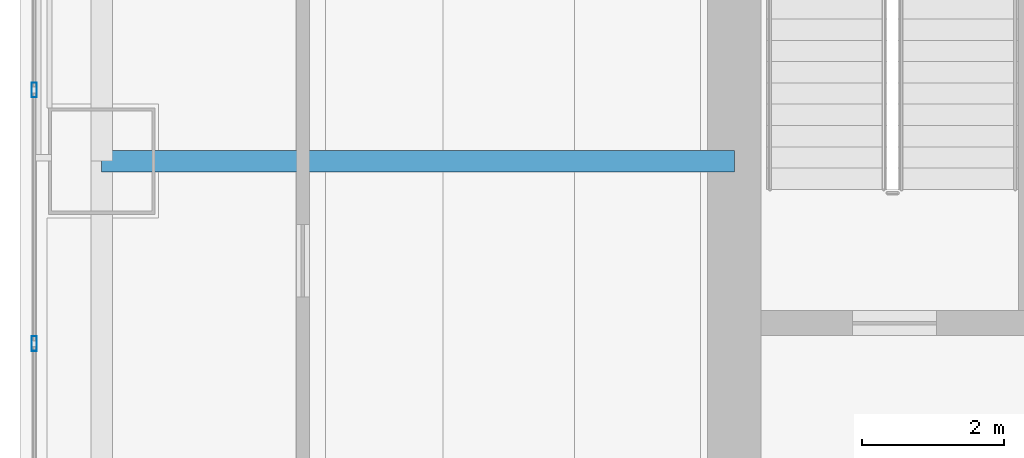
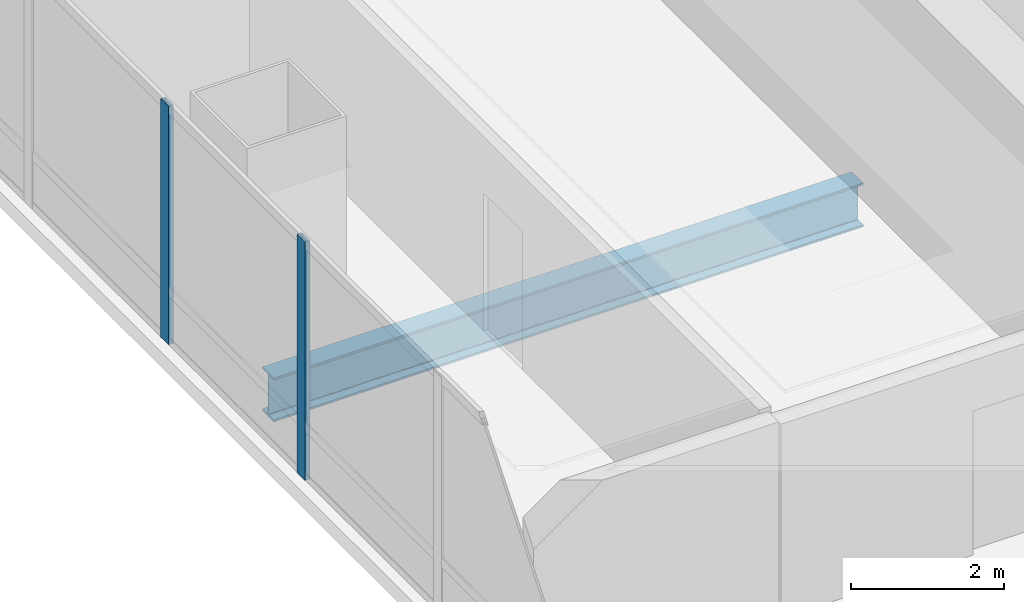
# One storey, part 8 of 34: 2 members, 1 beam, 1 element without a shape of its own.
"""IFC4 building model written with IfcOpenShell, lengths in metres."""

from ifc_helpers import new_model, si_unit, direction, frame, origin, origin_2d, place, context, subcontext, project, spatial, hollow_rectangle, i_section, extrude, material, material_profile, profile_set, type_object, element, aggregate, save


model = new_model("IFC4")

# Units and contexts
model_context = context("Model", 3, precision=1e-05, world=origin(), true_north=direction((0.0, 1.0)))
body_context = subcontext(model_context, "Body", "Model", "MODEL_VIEW")
ifc_project = project(units=[si_unit("LENGTHUNIT", "METRE"), si_unit("AREAUNIT", "SQUARE_METRE"), si_unit("VOLUMEUNIT", "CUBIC_METRE"), si_unit("PLANEANGLEUNIT", "RADIAN"), si_unit("MASSUNIT", "GRAM", prefix="KILO")], contexts=[model_context])

# Site, building, storey
site_placement = place(None, origin())
site = spatial("IfcSite", under=ifc_project, at=site_placement, CompositionType="ELEMENT")
building_placement = place(site_placement, origin())
building = spatial("IfcBuilding", under=site, at=building_placement, Name="Punatoya Terracotta Tower", CompositionType="ELEMENT")
storey_placement = place(building_placement, frame((0.0, 0.0, 80.85009765625)))
storey = spatial("IfcBuildingStorey", under=building, at=storey_placement, Name="L18", CompositionType="ELEMENT", Elevation=80.85009765625)

# Beam
ifc_material_1 = material(Name="Steel S355", Category="steel")
ifc_material_profile_1 = material_profile(ifc_material_1, i_section(OverallWidth=0.300048828125, OverallDepth=0.699951171875, WebThickness=0.01708984375, FlangeThickness=0.031982421875, FilletRadius=0.01806640625, at=origin_2d()))
ifc_profile_set_1 = profile_set([ifc_material_profile_1], Name="Steel S355")
beam_type = type_object("IfcBeamType", Name="BM-PRI-700", PredefinedType="BEAM", material=ifc_profile_set_1)
beam_placement = place(storey_placement, frame((-19.10009765625, -3.39990234375, -0.590087890625), z_axis=(1.0, 0.0, 0.0), x_axis=(0.0, 1.0, 0.0)))
element("IfcBeam", 1, at=beam_placement, inside=storey, type_object=beam_type, Name="BM-L18-PR-WD", PredefinedType="BEAM", context=body_context, shape_type="SweptSolid", body=[
    extrude(i_section(OverallWidth=0.300048828125, OverallDepth=0.699951171875, WebThickness=0.01708984375, FlangeThickness=0.031982421875, FilletRadius=0.01806640625, at=origin_2d()), origin(), (0.0, 0.0, 1.0), 8.900146484375),
])

# Curtain wall, members
ifc_material_2 = material(Name="Aluminium 6063-T6 + Double Low-E Glass", Category="aluminium")
curtain_wall_type = type_object("IfcCurtainWallType", Name="CW-M1", PredefinedType="NOTDEFINED", material=ifc_material_2)
curtain_wall_placement = place(storey_placement, origin())
curtain_wall = element("IfcCurtainWall", 2, at=curtain_wall_placement, inside=storey, type_object=curtain_wall_type, Name="L18 Curtain Wall CW-L18-W13-1", PredefinedType="NOTDEFINED")
ifc_material_3 = material(Name="Aluminium 6063-T6", Category="aluminium")
ifc_material_profile_2 = material_profile(ifc_material_3, hollow_rectangle(XDim=0.074951171875, YDim=0.2099609375, WallThickness=0.00439453125, at=origin_2d()))
ifc_profile_set_2 = profile_set([ifc_material_profile_2], Name="Aluminium 6063-T6")
member_type = type_object("IfcMemberType", Name="CW-MUL-M1", PredefinedType="MULLION", material=ifc_profile_set_2)
member_1_placement = place(storey_placement, frame((-20.050048828125, -2.39990234375, 0.0), z_axis=(0.0, 0.0, 1.0), x_axis=(1.0, 0.0, 0.0)))
member_1 = element("IfcMember", 3, at=member_1_placement, type_object=member_type, Name="CW-L18-W13-1 Mullion 05", PredefinedType="MULLION", context=body_context, shape_type="SweptSolid", body=[
    extrude(hollow_rectangle(XDim=0.074951171875, YDim=0.2099609375, WallThickness=0.00439453125, at=origin_2d()), origin(), (0.0, 0.0, 1.0), 3.809814453125),
])
member_2_placement = place(storey_placement, frame((-20.050048828125, -5.96728515625, 0.0), z_axis=(0.0, 0.0, 1.0), x_axis=(1.0, 0.0, 0.0)))
member_2 = element("IfcMember", 4, at=member_2_placement, type_object=member_type, Name="CW-L18-W13-1 Mullion 06", PredefinedType="MULLION", context=body_context, shape_type="SweptSolid", body=[
    extrude(hollow_rectangle(XDim=0.074951171875, YDim=0.2099609375, WallThickness=0.00439453125, at=origin_2d()), origin(), (0.0, 0.0, 1.0), 3.809814453125),
])
aggregate(curtain_wall, [member_1, member_2])

save(model, "model.ifc")
